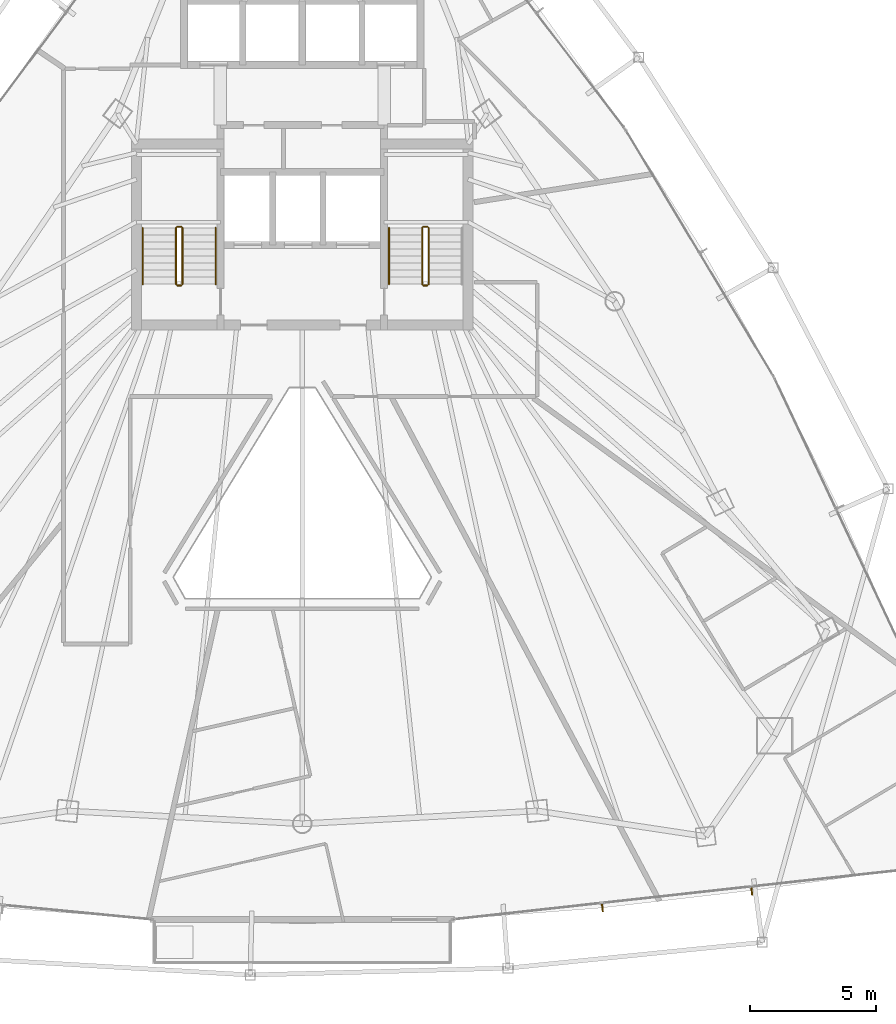
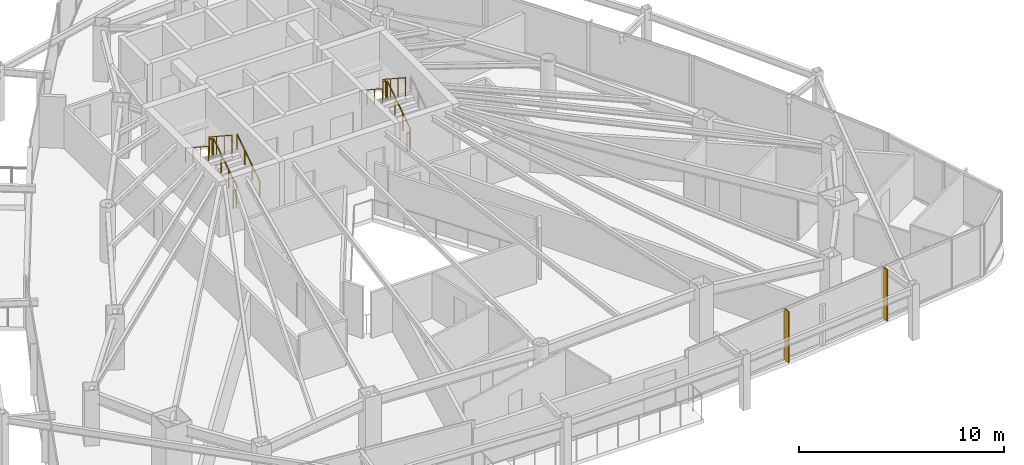
# One storey, part 32 of 33: 11 railings, 2 shading devices.
"""IFC4 building model written with IfcOpenShell, lengths in metres."""

from ifc_helpers import new_model, si_unit, direction, frame, origin, origin_2d, place, context, subcontext, project, spatial, rectangle, circle, extrude, material, layer, layer_set, type_object, element, save


model = new_model("IFC4")

# Units and contexts
model_context = context("Model", 3, precision=1e-05, world=origin(), true_north=direction((0.0, 1.0)))
body_context = subcontext(model_context, "Body", "Model", "MODEL_VIEW")
ifc_project = project(units=[si_unit("LENGTHUNIT", "METRE"), si_unit("AREAUNIT", "SQUARE_METRE"), si_unit("VOLUMEUNIT", "CUBIC_METRE"), si_unit("PLANEANGLEUNIT", "RADIAN"), si_unit("MASSUNIT", "GRAM", prefix="KILO")], contexts=[model_context])

# Site, building, storey
site_placement = place(None, origin())
site = spatial("IfcSite", under=ifc_project, at=site_placement, CompositionType="ELEMENT")
building_placement = place(site_placement, origin())
building = spatial("IfcBuilding", under=site, at=building_placement, Name="Orvanel Arch Residences", CompositionType="ELEMENT")
storey_placement = place(building_placement, frame((0.0, 0.0, 119.89990234375)))
storey = spatial("IfcBuildingStorey", under=building, at=storey_placement, Name="L33", CompositionType="ELEMENT", Elevation=119.89990234375)

# Shading devices
ifc_material_1 = material(Name="Bronze-anodised aluminium AA6063-T6", Category="aluminium")
ifc_layer = layer(ifc_material_1, 0.054931640625)
ifc_layer_set = layer_set([ifc_layer], Name="Bronze-anodised aluminium AA6063-T6")
shading_device_type = type_object("IfcShadingDeviceType", Name="FIN-BRZ-320", PredefinedType="USERDEFINED", material=ifc_layer_set)
for number, where, z_axis, x_axis, name in (
    (1, (44.945068359375, 3.5029296875, 0.0), (0.0, 0.0, 1.0), (0.109734311091, -0.993960955455, 0.0), "L33 Anodised Bronze Mullion FIN 01"),
    (2, (50.889892578125, 4.157958984375, 0.0), (0.0, 0.0, 1.0), (0.109734311091, -0.993960955455, 0.0), "L33 Anodised Bronze Mullion FIN 02"),
):
    element("IfcShadingDevice", number, at=place(storey_placement, frame(where, z_axis=z_axis, x_axis=x_axis)), inside=storey, type_object=shading_device_type, Name=name, ObjectType="FIN", PredefinedType="USERDEFINED", context=body_context, shape_type="SweptSolid", body=[
        extrude(rectangle(XDim=0.320068359375, YDim=0.054931640625, at=origin_2d()), origin(), (0.0, 0.0, 1.0), 3.06005859375),
    ])

# Railings
ifc_material_2 = material(Name="Structural steel AS/NZS 1163 C350L0 (Grade 350)", Category="steel")
railing_type_1 = type_object("IfcRailingType", Name="RL-STAIR-GUARD", PredefinedType="GUARDRAIL", material=ifc_material_2)
railing_1_placement = place(storey_placement, frame((28.22998046875, 28.320068359375, 0.183349609375)))
element("IfcRailing", 3, at=railing_1_placement, inside=storey, type_object=railing_type_1, Name="L33 ST-1 stair guard 1", PredefinedType="GUARDRAIL", context=body_context, shape_type="SweptSolid", body=[
    extrude(circle(Radius=0.02392578125, at=origin_2d()), frame((0.0, 0.001220703125, 1.076904296875), z_axis=(0.0, 0.836595146698, 0.547821650285), x_axis=(-1.0, 0.0, 0.0)), (0.0, 0.0, 1.0), 2.674560546875),
    extrude(circle(Radius=0.02099609375, at=origin_2d()), origin(), (0.0, 0.0, 1.0), 1.050048828125),
    extrude(circle(Radius=0.02099609375, at=origin_2d()), frame((0.0, 0.74658203125, 0.489013671875)), (0.0, 0.0, 1.0), 1.050048828125),
    extrude(circle(Radius=0.02099609375, at=origin_2d()), frame((0.0, 1.493408203125, 0.977783203125)), (0.0, 0.0, 1.0), 1.050048828125),
    extrude(circle(Radius=0.02099609375, at=origin_2d()), frame((0.0, 2.239990234375, 1.466796875)), (0.0, 0.0, 1.0), 1.050048828125),
])
railing_2_placement = place(storey_placement, frame((28.179931640625, 30.610107421875, 1.650146484375)))
element("IfcRailing", 4, at=railing_2_placement, inside=storey, type_object=railing_type_1, Name="L33 ST-1 stair guard 2", PredefinedType="GUARDRAIL", context=body_context, shape_type="SweptSolid", body=[
    extrude(circle(Radius=0.02392578125, at=origin_2d()), frame((-0.00146484375, 0.0, 1.076171875), z_axis=(-1.0, 0.0, 0.0), x_axis=(0.0, -1.0, 0.0)), (0.0, 0.0, 1.0), 0.156982421875),
    extrude(circle(Radius=0.02099609375, at=origin_2d()), origin(), (0.0, 0.0, 1.0), 1.050048828125),
    extrude(circle(Radius=0.02099609375, at=origin_2d()), frame((-0.159912109375, 0.0, 0.0)), (0.0, 0.0, 1.0), 1.050048828125),
])
railing_3_placement = place(storey_placement, frame((27.969970703125, 30.56005859375, 1.83349609375)))
element("IfcRailing", 5, at=railing_3_placement, inside=storey, type_object=railing_type_1, Name="L33 ST-1 stair guard 3", PredefinedType="GUARDRAIL", context=body_context, shape_type="SweptSolid", body=[
    extrude(circle(Radius=0.02392578125, at=origin_2d()), frame((0.0, -0.001220703125, 1.076904296875), z_axis=(0.0, -0.836636935527, 0.547757827979), x_axis=(1.0, 0.0, 0.0)), (0.0, 0.0, 1.0), 2.67431640625),
    extrude(circle(Radius=0.02099609375, at=origin_2d()), origin(), (0.0, 0.0, 1.0), 1.050048828125),
    extrude(circle(Radius=0.02099609375, at=origin_2d()), frame((0.0, -0.74658203125, 0.48876953125)), (0.0, 0.0, 1.0), 1.050048828125),
    extrude(circle(Radius=0.02099609375, at=origin_2d()), frame((0.0, -1.493408203125, 0.977783203125)), (0.0, 0.0, 1.0), 1.050048828125),
    extrude(circle(Radius=0.02099609375, at=origin_2d()), frame((0.0, -2.239990234375, 1.466552734375)), (0.0, 0.0, 1.0), 1.050048828125),
])
railing_4_placement = place(storey_placement, frame((28.179931640625, 28.27001953125, 0.0)))
element("IfcRailing", 6, at=railing_4_placement, inside=storey, type_object=railing_type_1, Name="L33 ST-1 stair guard 4", PredefinedType="GUARDRAIL", context=body_context, shape_type="SweptSolid", body=[
    extrude(circle(Radius=0.02392578125, at=origin_2d()), frame((-0.00146484375, 0.0, 1.076171875), z_axis=(-1.0, 0.0, 0.0), x_axis=(0.0, -1.0, 0.0)), (0.0, 0.0, 1.0), 0.156982421875),
    extrude(circle(Radius=0.02099609375, at=origin_2d()), origin(), (0.0, 0.0, 1.0), 1.050048828125),
    extrude(circle(Radius=0.02099609375, at=origin_2d()), frame((-0.159912109375, 0.0, 0.0)), (0.0, 0.0, 1.0), 1.050048828125),
])
railing_5_placement = place(storey_placement, frame((38.030029296875, 28.320068359375, 0.183349609375)))
element("IfcRailing", 7, at=railing_5_placement, inside=storey, type_object=railing_type_1, Name="L33 ST-2 stair guard 1", PredefinedType="GUARDRAIL", context=body_context, shape_type="SweptSolid", body=[
    extrude(circle(Radius=0.02392578125, at=origin_2d()), frame((0.0, 0.001220703125, 1.076904296875), z_axis=(0.0, 0.836595146698, 0.547821650285), x_axis=(-1.0, 0.0, 0.0)), (0.0, 0.0, 1.0), 2.674560546875),
    extrude(circle(Radius=0.02099609375, at=origin_2d()), origin(), (0.0, 0.0, 1.0), 1.050048828125),
    extrude(circle(Radius=0.02099609375, at=origin_2d()), frame((0.0, 0.74658203125, 0.489013671875)), (0.0, 0.0, 1.0), 1.050048828125),
    extrude(circle(Radius=0.02099609375, at=origin_2d()), frame((0.0, 1.493408203125, 0.977783203125)), (0.0, 0.0, 1.0), 1.050048828125),
    extrude(circle(Radius=0.02099609375, at=origin_2d()), frame((0.0, 2.239990234375, 1.466796875)), (0.0, 0.0, 1.0), 1.050048828125),
])
railing_6_placement = place(storey_placement, frame((37.97998046875, 30.610107421875, 1.650146484375)))
element("IfcRailing", 8, at=railing_6_placement, inside=storey, type_object=railing_type_1, Name="L33 ST-2 stair guard 2", PredefinedType="GUARDRAIL", context=body_context, shape_type="SweptSolid", body=[
    extrude(circle(Radius=0.02392578125, at=origin_2d()), frame((-0.00146484375, 0.0, 1.076171875), z_axis=(-1.0, 0.0, 0.0), x_axis=(0.0, -1.0, 0.0)), (0.0, 0.0, 1.0), 0.156982421875),
    extrude(circle(Radius=0.02099609375, at=origin_2d()), origin(), (0.0, 0.0, 1.0), 1.050048828125),
    extrude(circle(Radius=0.02099609375, at=origin_2d()), frame((-0.159912109375, 0.0, 0.0)), (0.0, 0.0, 1.0), 1.050048828125),
])
railing_7_placement = place(storey_placement, frame((37.77001953125, 30.56005859375, 1.83349609375)))
element("IfcRailing", 9, at=railing_7_placement, inside=storey, type_object=railing_type_1, Name="L33 ST-2 stair guard 3", PredefinedType="GUARDRAIL", context=body_context, shape_type="SweptSolid", body=[
    extrude(circle(Radius=0.02392578125, at=origin_2d()), frame((0.0, -0.001220703125, 1.076904296875), z_axis=(0.0, -0.836636935527, 0.547757827979), x_axis=(1.0, 0.0, 0.0)), (0.0, 0.0, 1.0), 2.67431640625),
    extrude(circle(Radius=0.02099609375, at=origin_2d()), origin(), (0.0, 0.0, 1.0), 1.050048828125),
    extrude(circle(Radius=0.02099609375, at=origin_2d()), frame((0.0, -0.74658203125, 0.48876953125)), (0.0, 0.0, 1.0), 1.050048828125),
    extrude(circle(Radius=0.02099609375, at=origin_2d()), frame((0.0, -1.493408203125, 0.977783203125)), (0.0, 0.0, 1.0), 1.050048828125),
    extrude(circle(Radius=0.02099609375, at=origin_2d()), frame((0.0, -2.239990234375, 1.466552734375)), (0.0, 0.0, 1.0), 1.050048828125),
])
railing_8_placement = place(storey_placement, frame((37.97998046875, 28.27001953125, 0.0)))
element("IfcRailing", 10, at=railing_8_placement, inside=storey, type_object=railing_type_1, Name="L33 ST-2 stair guard 4", PredefinedType="GUARDRAIL", context=body_context, shape_type="SweptSolid", body=[
    extrude(circle(Radius=0.02392578125, at=origin_2d()), frame((-0.00146484375, 0.0, 1.076171875), z_axis=(-1.0, 0.0, 0.0), x_axis=(0.0, -1.0, 0.0)), (0.0, 0.0, 1.0), 0.156982421875),
    extrude(circle(Radius=0.02099609375, at=origin_2d()), origin(), (0.0, 0.0, 1.0), 1.050048828125),
    extrude(circle(Radius=0.02099609375, at=origin_2d()), frame((-0.159912109375, 0.0, 0.0)), (0.0, 0.0, 1.0), 1.050048828125),
])
railing_type_2 = type_object("IfcRailingType", Name="RL-STAIR-HAND", PredefinedType="HANDRAIL", material=ifc_material_2)
railing_9_placement = place(storey_placement, frame((29.550048828125, 28.320068359375, 0.183349609375)))
element("IfcRailing", 11, at=railing_9_placement, inside=storey, type_object=railing_type_2, Name="L33 ST-1 stair handrail 1", PredefinedType="HANDRAIL", context=body_context, shape_type="SweptSolid", body=[
    extrude(circle(Radius=0.02392578125, at=origin_2d()), frame((0.0, 0.001220703125, 0.876708984375), z_axis=(0.0, 0.836595146698, 0.547821650285), x_axis=(-1.0, 0.0, 0.0)), (0.0, 0.0, 1.0), 2.674560546875),
    extrude(circle(Radius=0.02099609375, at=origin_2d()), origin(), (0.0, 0.0, 1.0), 0.849853515625),
    extrude(circle(Radius=0.02099609375, at=origin_2d()), frame((0.0, 0.74658203125, 0.489013671875)), (0.0, 0.0, 1.0), 0.849853515625),
    extrude(circle(Radius=0.02099609375, at=origin_2d()), frame((0.0, 1.493408203125, 0.977783203125)), (0.0, 0.0, 1.0), 0.849853515625),
    extrude(circle(Radius=0.02099609375, at=origin_2d()), frame((0.0, 2.239990234375, 1.466796875)), (0.0, 0.0, 1.0), 0.849853515625),
])
for number, where, name in (
    (12, (26.64990234375, 30.56005859375, 1.83349609375), "L33 ST-1 stair handrail 2"),
    (13, (36.449951171875, 30.56005859375, 1.83349609375), "L33 ST-2 stair handrail 2"),
):
    element("IfcRailing", number, at=place(storey_placement, frame(where)), inside=storey, type_object=railing_type_2, Name=name, PredefinedType="HANDRAIL", context=body_context, shape_type="SweptSolid", body=[
        extrude(circle(Radius=0.02392578125, at=origin_2d()), frame((0.0, -0.001220703125, 0.876708984375), z_axis=(0.0, -0.836636935527, 0.547757827979), x_axis=(1.0, 0.0, 0.0)), (0.0, 0.0, 1.0), 2.67431640625),
        extrude(circle(Radius=0.02099609375, at=origin_2d()), origin(), (0.0, 0.0, 1.0), 0.849853515625),
        extrude(circle(Radius=0.02099609375, at=origin_2d()), frame((0.0, -0.74658203125, 0.48876953125)), (0.0, 0.0, 1.0), 0.849853515625),
        extrude(circle(Radius=0.02099609375, at=origin_2d()), frame((0.0, -1.493408203125, 0.977783203125)), (0.0, 0.0, 1.0), 0.849853515625),
        extrude(circle(Radius=0.02099609375, at=origin_2d()), frame((0.0, -2.239990234375, 1.466552734375)), (0.0, 0.0, 1.0), 0.849853515625),
    ])

save(model, "model.ifc")
